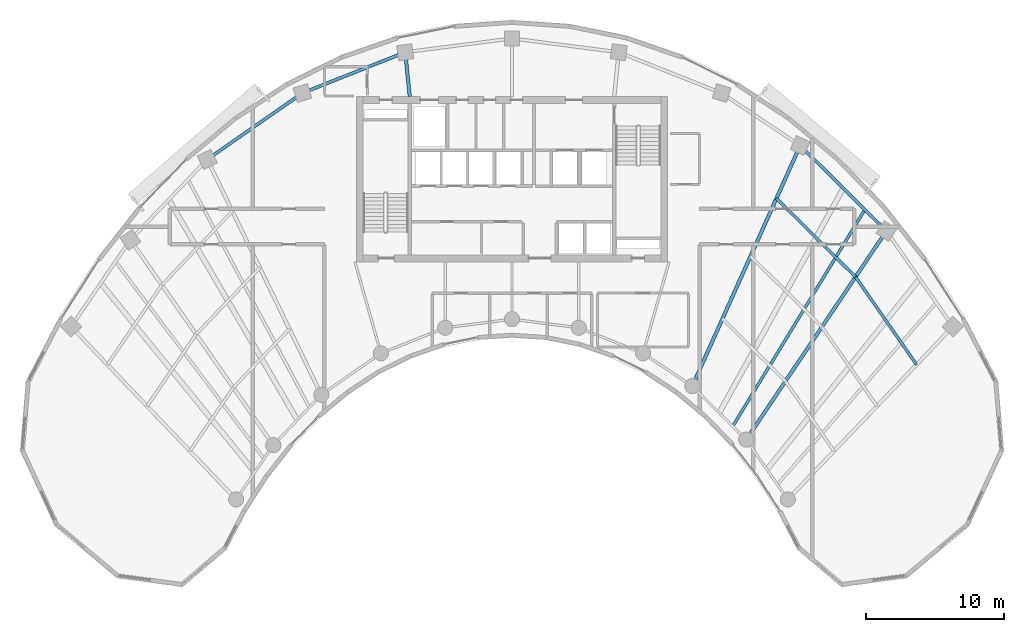
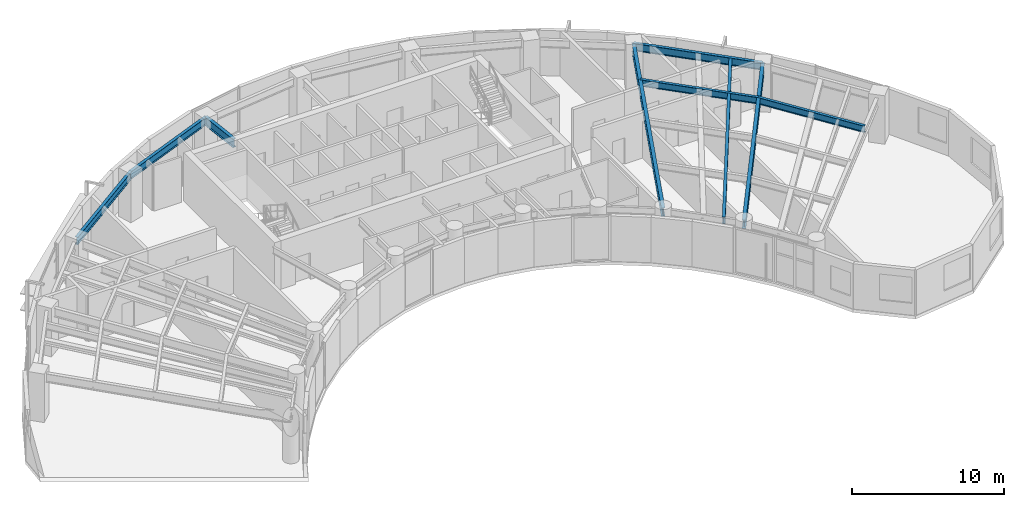
# One storey, part 4 of 14: 9 beams.
"""IFC4 building model written with IfcOpenShell, lengths in metres."""

from ifc_helpers import new_model, si_unit, direction, frame, origin, origin_2d, place, context, subcontext, project, spatial, i_section, extrude, source, transform, mapped, material, material_profile, profile_set, type_object, element, save


model = new_model("IFC4")

# Units and contexts
model_context = context("Model", 3, precision=1e-05, world=origin(), true_north=direction((0.0, 1.0)))
body_context = subcontext(model_context, "Body", "Model", "MODEL_VIEW")
ifc_project = project(units=[si_unit("LENGTHUNIT", "METRE"), si_unit("AREAUNIT", "SQUARE_METRE"), si_unit("VOLUMEUNIT", "CUBIC_METRE"), si_unit("PLANEANGLEUNIT", "RADIAN"), si_unit("MASSUNIT", "GRAM", prefix="KILO")], contexts=[model_context])

# Site, building, storey
site_placement = place(None, origin())
site = spatial("IfcSite", under=ifc_project, at=site_placement, CompositionType="ELEMENT")
building_placement = place(site_placement, origin())
building = spatial("IfcBuilding", under=site, at=building_placement, Name="Breltana Convention Tower", CompositionType="ELEMENT")
storey_placement = place(building_placement, frame((0.0, 0.0, 177.89990234375)))
storey = spatial("IfcBuildingStorey", under=building, at=storey_placement, Name="L43", CompositionType="ELEMENT", Elevation=177.89990234375)

# Beams
ifc_material = material(Name="Steel ASTM A992 Grade 50", Category="steel")
ifc_material_profile_1 = material_profile(ifc_material, i_section(OverallWidth=0.2099609375, OverallDepth=0.537109375, WebThickness=0.010986328125, FlangeThickness=0.017333984375, at=origin_2d()), Name="W21X68")
ifc_profile_set_1 = profile_set([ifc_material_profile_1], Name="Steel ASTM A992 Grade 50")
beam_type_1 = type_object("IfcBeamType", Name="BM-JSG-04", PredefinedType="JOIST", material=ifc_profile_set_1)
shared_shape_1 = source(origin(), body_context, "Body", "SweptSolid", [
    extrude(i_section(OverallWidth=0.2099609375, OverallDepth=0.537109375, WebThickness=0.010986328125, FlangeThickness=0.017333984375, at=origin_2d()), origin(), (0.0, 0.0, 1.0), 8.084716796875),
])
beam_1_placement = place(storey_placement, frame((67.188232421875, 64.79248046875, 3.381591796875), z_axis=(0.710105094548, -0.704095699956, 0.0), x_axis=(0.704095699956, 0.710105094548, 0.0)))
element("IfcBeam", 1, at=beam_1_placement, inside=storey, type_object=beam_type_1, Name="L43 Composite Floor Joist 09.3", PredefinedType="JOIST", context=body_context, shape_type="MappedRepresentation", body=[
    mapped(shared_shape_1, transform((0.0, 0.0, 0.0), scale=1.0)),
])
shared_shape_2 = source(origin(), body_context, "Body", "SweptSolid", [
    extrude(i_section(OverallWidth=0.2099609375, OverallDepth=0.537109375, WebThickness=0.010986328125, FlangeThickness=0.017333984375, at=origin_2d()), origin(), (0.0, 0.0, 1.0), 18.409423828125),
])
beam_2_placement = place(storey_placement, frame((64.017333984375, 48.263916015625, 3.381591796875), z_axis=(0.520682167606, 0.853750596098, 0.0), x_axis=(-0.853750596098, 0.520682167606, 0.0)))
element("IfcBeam", 2, at=beam_2_placement, inside=storey, type_object=beam_type_1, Name="L43 Quarter-Bay Radial Trimmer 09", PredefinedType="JOIST", context=body_context, shape_type="MappedRepresentation", body=[
    mapped(shared_shape_2, transform((0.0, 0.0, 0.0), scale=1.0)),
])
shared_shape_3 = source(origin(), body_context, "Body", "SweptSolid", [
    extrude(i_section(OverallWidth=0.2099609375, OverallDepth=0.537109375, WebThickness=0.010986328125, FlangeThickness=0.017333984375, at=origin_2d()), origin(), (0.0, 0.0, 1.0), 7.75390625),
])
beam_3_placement = place(storey_placement, frame((72.92919921875, 59.10009765625, 3.381591796875), z_axis=(0.57119271264, -0.820815987312, 0.0), x_axis=(0.820815987312, 0.57119271264, 0.0)))
element("IfcBeam", 3, at=beam_3_placement, inside=storey, type_object=beam_type_1, Name="L43 Composite Floor Joist 10.3", PredefinedType="JOIST", context=body_context, shape_type="MappedRepresentation", body=[
    mapped(shared_shape_3, transform((0.0, 0.0, 0.0), scale=1.0)),
])
ifc_material_profile_2 = material_profile(ifc_material, i_section(OverallWidth=0.25390625, OverallDepth=0.68798828125, WebThickness=0.01318359375, FlangeThickness=0.02099609375, at=origin_2d()), Name="W27X102")
ifc_profile_set_2 = profile_set([ifc_material_profile_2], Name="Steel ASTM A992 Grade 50")
beam_type_2 = type_object("IfcBeamType", Name="BM-RG-W27X102", PredefinedType="USERDEFINED", material=ifc_profile_set_2)
shared_shape_4 = source(origin(), body_context, "Body", "SweptSolid", [
    extrude(i_section(OverallWidth=0.25390625, OverallDepth=0.68798828125, WebThickness=0.01318359375, FlangeThickness=0.02099609375, at=origin_2d()), origin(), (0.0, 0.0, 1.0), 3.220947265625),
])
beam_4_placement = place(storey_placement, frame((40.580078125, 72.199951171875, 3.30615234375), z_axis=(-0.101492254858, 0.994836329355, 0.0), x_axis=(-0.994836329355, -0.101492254858, 0.0)))
element("IfcBeam", 4, at=beam_4_placement, inside=storey, type_object=beam_type_2, Name="L43 North Core Radial Girder R05", ObjectType="GIRDER", PredefinedType="USERDEFINED", context=body_context, shape_type="MappedRepresentation", body=[
    mapped(shared_shape_4, transform((0.0, 0.0, 0.0), scale=1.0)),
])
shared_shape_5 = source(origin(), body_context, "Body", "SweptSolid", [
    extrude(i_section(OverallWidth=0.25390625, OverallDepth=0.68798828125, WebThickness=0.01318359375, FlangeThickness=0.02099609375, at=origin_2d()), origin(), (0.0, 0.0, 1.0), 19.133544921875),
])
beam_5_placement = place(storey_placement, frame((61.08203125, 51.174560546875, 3.30615234375), z_axis=(0.409144564164, 0.912469575172, 0.0), x_axis=(-0.912469575172, 0.409144564164, 0.0)))
element("IfcBeam", 5, at=beam_5_placement, inside=storey, type_object=beam_type_2, Name="L43 Radial Floor Girder R09", ObjectType="GIRDER", PredefinedType="USERDEFINED", context=body_context, shape_type="MappedRepresentation", body=[
    mapped(shared_shape_5, transform((0.0, 0.0, 0.0), scale=1.0)),
])
shared_shape_6 = source(origin(), body_context, "Body", "SweptSolid", [
    extrude(i_section(OverallWidth=0.25390625, OverallDepth=0.68798828125, WebThickness=0.01318359375, FlangeThickness=0.02099609375, at=origin_2d()), origin(), (0.0, 0.0, 1.0), 18.236328125),
])
beam_6_placement = place(storey_placement, frame((64.995849609375, 47.293701171875, 3.30615234375), z_axis=(0.557730360975, 0.830022195153, 0.0), x_axis=(-0.830022195153, 0.557730360975, 0.0)))
element("IfcBeam", 6, at=beam_6_placement, inside=storey, type_object=beam_type_2, Name="L43 Radial Floor Girder R10", ObjectType="GIRDER", PredefinedType="USERDEFINED", context=body_context, shape_type="MappedRepresentation", body=[
    mapped(shared_shape_6, transform((0.0, 0.0, 0.0), scale=1.0)),
])
ifc_material_profile_3 = material_profile(ifc_material, i_section(OverallWidth=0.22802734375, OverallDepth=0.60791015625, WebThickness=0.01123046875, FlangeThickness=0.017333984375, at=origin_2d()), Name="W24X76")
ifc_profile_set_3 = profile_set([ifc_material_profile_3], Name="Steel ASTM A992 Grade 50")
beam_type_3 = type_object("IfcBeamType", Name="BM-SP-W24X76", PredefinedType="SPANDREL", material=ifc_profile_set_3)
shared_shape_7 = source(origin(), body_context, "Body", "SweptSolid", [
    extrude(i_section(OverallWidth=0.22802734375, OverallDepth=0.60791015625, WebThickness=0.01123046875, FlangeThickness=0.017333984375, at=origin_2d()), origin(), (0.0, 0.0, 1.0), 8.4169921875),
])
beam_7_placement = place(storey_placement, frame((25.8876953125, 67.626953125, 3.34619140625), z_axis=(0.820173800102, 0.572114444519, 0.0), x_axis=(-0.572114444519, 0.820173800102, 0.0)))
element("IfcBeam", 7, at=beam_7_placement, inside=storey, type_object=beam_type_3, Name="L43 Outer Spandrel Beam 03", PredefinedType="SPANDREL", context=body_context, shape_type="MappedRepresentation", body=[
    mapped(shared_shape_7, transform((0.0, 0.0, 0.0), scale=1.0)),
])
shared_shape_8 = source(origin(), body_context, "Body", "SweptSolid", [
    extrude(i_section(OverallWidth=0.22802734375, OverallDepth=0.60791015625, WebThickness=0.01123046875, FlangeThickness=0.017333984375, at=origin_2d()), origin(), (0.0, 0.0, 1.0), 8.028564453125),
])
beam_8_placement = place(storey_placement, frame((32.791015625, 72.4423828125, 3.34619140625), z_axis=(0.929459100394, 0.368925169507, 0.0), x_axis=(-0.368925169507, 0.929459100394, 0.0)))
element("IfcBeam", 8, at=beam_8_placement, inside=storey, type_object=beam_type_3, Name="L43 Outer Spandrel Beam 04", PredefinedType="SPANDREL", context=body_context, shape_type="MappedRepresentation", body=[
    mapped(shared_shape_8, transform((0.0, 0.0, 0.0), scale=1.0)),
])
shared_shape_9 = source(origin(), body_context, "Body", "SweptSolid", [
    extrude(i_section(OverallWidth=0.22802734375, OverallDepth=0.60791015625, WebThickness=0.01123046875, FlangeThickness=0.017333984375, at=origin_2d()), origin(), (0.0, 0.0, 1.0), 8.810302734375),
])
beam_9_placement = place(storey_placement, frame((68.910400390625, 68.63330078125, 3.34619140625), z_axis=(0.710120823582, -0.704079836322, 0.0), x_axis=(0.704079836322, 0.710120823582, 0.0)))
element("IfcBeam", 9, at=beam_9_placement, inside=storey, type_object=beam_type_3, Name="L43 Outer Spandrel Beam 09", PredefinedType="SPANDREL", context=body_context, shape_type="MappedRepresentation", body=[
    mapped(shared_shape_9, transform((0.0, 0.0, 0.0), scale=1.0)),
])

save(model, "model.ifc")
